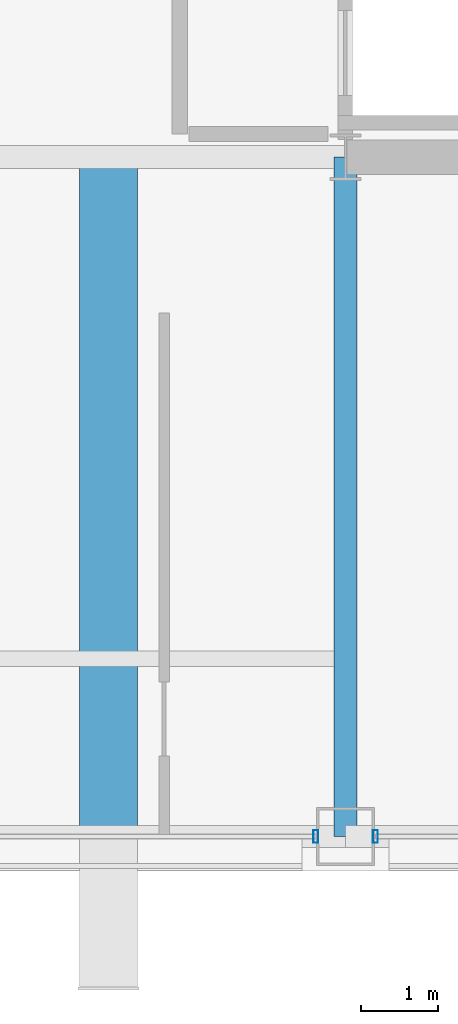
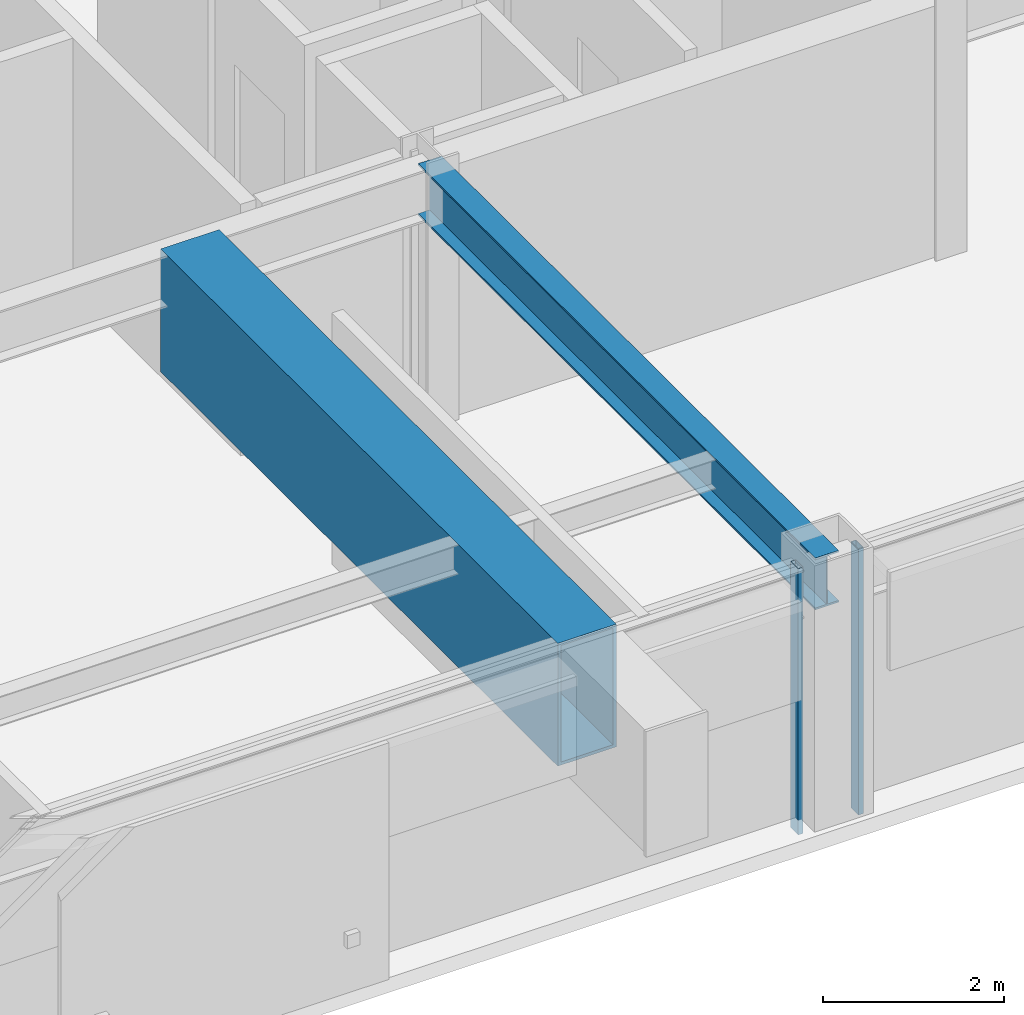
# One storey, part 6 of 28: 2 beams, 2 members, 2 elements without a shape of their own.
"""IFC4 building model written with IfcOpenShell, lengths in metres."""

import ifcopenshell
import ifcopenshell.guid

model = None  # the IFC model being written
_history = None  # IfcOwnerHistory: only IFC2X3 demands one
_inside = {}  # id of a spatial element -> (the spatial element, [elements in it])
_under = {}  # id of a project, library or spatial element -> (it, [spatial elements below it])
_declared = {}  # id of a project -> (the project, [libraries it declares])
_typed = {}  # id of a type object -> (the type object, [elements of that type])
_made_of = {}  # id of a material, layer set ... -> (it, [elements and type objects made of it])


def new_model(schema):
    """Start an empty IFC model of exactly this schema.

    Asked for "IFC4X3", IfcOpenShell would pick the latest addendum, in which some entities
    have other attributes; the version numbers below select the first issue.
    IFC2X3 requires an IfcOwnerHistory on every rooted entity: one is made here for all.
    """
    global model, _history
    if schema == "IFC4X3":
        model = ifcopenshell.file(schema_version=(4, 3, 0, 0))
    else:
        model = ifcopenshell.file(schema=schema)
    _inside.clear()
    _under.clear()
    _declared.clear()
    _typed.clear()
    _made_of.clear()
    _history = None
    if model.schema == "IFC2X3":
        org = make("IfcOrganization", Name="unknown")
        user = make(
            "IfcPersonAndOrganization",
            ThePerson=make("IfcPerson", FamilyName="unknown"),
            TheOrganization=org,
        )
        app = make(
            "IfcApplication",
            ApplicationDeveloper=org,
            Version="unknown",
            ApplicationFullName="unknown",
            ApplicationIdentifier="unknown",
        )
        _history = make(
            "IfcOwnerHistory",
            OwningUser=user,
            OwningApplication=app,
            ChangeAction="ADDED",
            CreationDate=0,
        )
    return model


def make(cls, **values):
    """One entity of the class cls with the attributes given. An attribute that is None is left unset."""
    return model.create_entity(
        cls, **{name: value for name, value in values.items() if value is not None}
    )


def rooted(cls, **values):
    """An entity with a GlobalId (a new one), such as an element, a storey or a relation."""
    return make(cls, GlobalId=ifcopenshell.guid.new(), OwnerHistory=_history, **values)


def si_unit(unit_type, name, prefix=None):
    """IfcSIUnit, for example si_unit("LENGTHUNIT", "METRE", prefix="MILLI")."""
    return make("IfcSIUnit", UnitType=unit_type, Prefix=prefix, Name=name)


def assignment(units):
    """IfcUnitAssignment: the units of a project."""
    return None if units is None else make("IfcUnitAssignment", Units=units)


def point(xyz):
    """IfcCartesianPoint."""
    return None if xyz is None else make("IfcCartesianPoint", Coordinates=xyz)


def direction(xyz):
    """IfcDirection."""
    return None if xyz is None else make("IfcDirection", DirectionRatios=xyz)


def frame(location, z_axis=None, x_axis=None):
    """IfcAxis2Placement3D, a coordinate frame: its origin and axes. An axis left out is left unset."""
    return make(
        "IfcAxis2Placement3D",
        Location=point(location),
        Axis=direction(z_axis),
        RefDirection=direction(x_axis),
    )


def frame_2d(location, x_axis=None):
    """IfcAxis2Placement2D, a coordinate frame in the plane: its origin and x axis."""
    return make(
        "IfcAxis2Placement2D", Location=point(location), RefDirection=direction(x_axis)
    )


def origin():
    """The frame at (0, 0, 0) with its axes left unset."""
    return frame((0.0, 0.0, 0.0))


def origin_2d():
    """The frame at (0, 0) in the plane with its x axis left unset."""
    return frame_2d((0.0, 0.0))


def place(relative_to, where):
    """IfcLocalPlacement: puts the frame where relative to a parent placement (None: the world)."""
    return make(
        "IfcLocalPlacement", PlacementRelTo=relative_to, RelativePlacement=where
    )


def context(
    kind, dimensions, precision=None, world=None, true_north=None, identifier=None
):
    """IfcGeometricRepresentationContext, for example the 3D "Model" context."""
    return make(
        "IfcGeometricRepresentationContext",
        ContextIdentifier=identifier,
        ContextType=kind,
        CoordinateSpaceDimension=dimensions,
        Precision=precision,
        WorldCoordinateSystem=world,
        TrueNorth=true_north,
    )


def subcontext(parent, identifier, kind, view, scale=None):
    """IfcGeometricRepresentationSubContext, for example "Body" below "Model"."""
    return make(
        "IfcGeometricRepresentationSubContext",
        ContextIdentifier=identifier,
        ContextType=kind,
        ParentContext=parent,
        TargetScale=scale,
        TargetView=view,
    )


def project(units=None, contexts=None):
    """IfcProject with its units and contexts."""
    return rooted(
        "IfcProject",
        Name="project",
        RepresentationContexts=contexts,
        UnitsInContext=assignment(units),
    )


def spatial(cls, under=None, at=None, **own):
    """A site, building, storey or space (cls), placed at a placement, below another one or the project."""
    s = rooted(cls, ObjectPlacement=at, **own)
    if under is not None:
        _under.setdefault(under.id(), (under, []))[1].append(s)
    return s


def profile(cls, at=None, kind="AREA", **sizes):
    """A parametric profile (cls). Its sizes go by their IFC names, for example OverallWidth=200.0."""
    return make(cls, ProfileType=kind, Position=at, **sizes)


def hollow_rectangle(**sizes):
    """IfcRectangleHollowProfileDef."""
    return profile("IfcRectangleHollowProfileDef", **sizes)


def i_section(**sizes):
    """IfcIShapeProfileDef."""
    return profile("IfcIShapeProfileDef", **sizes)


def extrude(swept, where, along, depth):
    """IfcExtrudedAreaSolid: the profile swept, set in the frame where, extruded along a direction by depth."""
    return make(
        "IfcExtrudedAreaSolid",
        SweptArea=swept,
        Position=where,
        ExtrudedDirection=direction(along),
        Depth=depth,
    )


def shape(context_of_items, identifier, shape_type, items):
    """IfcShapeRepresentation: the items that make up one representation, for example the "Body"."""
    return make(
        "IfcShapeRepresentation",
        ContextOfItems=context_of_items,
        RepresentationIdentifier=identifier,
        RepresentationType=shape_type,
        Items=items,
    )


def material(Name=None, Category=None):
    """IfcMaterial."""
    return make("IfcMaterial", Name=Name, Category=Category)


def layer(
    of_material, thickness, ventilated=None, Name=None, Category=None, Priority=None
):
    """IfcMaterialLayer: one layer of a wall or slab, of a material (None: an air gap)."""
    return make(
        "IfcMaterialLayer",
        Material=of_material,
        LayerThickness=thickness,
        IsVentilated=ventilated,
        Name=Name,
        Category=Category,
        Priority=Priority,
    )


def layer_set(layers, Name=None):
    """IfcMaterialLayerSet."""
    return make("IfcMaterialLayerSet", MaterialLayers=layers, LayerSetName=Name)


def material_profile(
    of_material, cross_section, Name=None, Category=None, Priority=None
):
    """IfcMaterialProfile: a cross section and its material."""
    return make(
        "IfcMaterialProfile",
        Name=Name,
        Material=of_material,
        Profile=cross_section,
        Priority=Priority,
        Category=Category,
    )


def profile_set(profiles, Name=None, composite=None):
    """IfcMaterialProfileSet."""
    return make(
        "IfcMaterialProfileSet",
        Name=Name,
        MaterialProfiles=profiles,
        CompositeProfile=composite,
    )


def made_of(thing, what):
    """Note that an element or type object is made of a material, layer set ...; save() writes the relation."""
    if what is not None:
        _made_of.setdefault(what.id(), (what, []))[1].append(thing)
    return thing


def type_object(cls, material=None, **own):
    """A type object (cls), such as IfcWallType, which elements share."""
    return made_of(rooted(cls, **own), material)


def element(
    cls,
    number,
    at=None,
    inside=None,
    cuts=None,
    type_object=None,
    material=None,
    context=None,
    identifier="Body",
    shape_type=None,
    held_by="IfcProductDefinitionShape",
    body=None,
    shapes=None,
    **own,
):
    """One element of the class cls, such as IfcWall. Its Tag is "e" and its number.

    at: its placement. inside: the storey or other place that contains it. cuts: it is an
    opening in that element (IfcRelVoidsElement). A single representation is given by context,
    identifier, shape_type and body (its items); several are given by shapes. held_by: the class
    of the entity that holds the representations. save() writes the other relations.
    """
    e = rooted(cls, Tag="e%d" % number, ObjectPlacement=at, **own)
    if body is not None:
        shapes = [shape(context, identifier, shape_type, body)]
    if shapes is not None:
        e.Representation = make(held_by, Representations=shapes)
    if inside is not None:
        _inside.setdefault(inside.id(), (inside, []))[1].append(e)
    if cuts is not None:
        rooted(
            "IfcRelVoidsElement", RelatingBuildingElement=cuts, RelatedOpeningElement=e
        )
    if type_object is not None:
        _typed.setdefault(type_object.id(), (type_object, []))[1].append(e)
    return made_of(e, material)


def aggregate(whole, parts):
    """IfcRelAggregates: a whole, such as a stair, and the parts it consists of."""
    return rooted("IfcRelAggregates", RelatingObject=whole, RelatedObjects=parts)


def save(model, path):
    """Write the relations noted so far, then the file.

    IfcRelAggregates (storeys below a building ...), IfcRelContainedInSpatialStructure (elements
    in a storey), IfcRelDefinesByType, IfcRelAssociatesMaterial and IfcRelDeclares: one each for
    every whole, place, type object, material and project.
    """
    for whole, parts in _under.values():
        aggregate(whole, parts)
    for where, things in _inside.values():
        rooted(
            "IfcRelContainedInSpatialStructure",
            RelatedElements=things,
            RelatingStructure=where,
        )
    for kind, things in _typed.values():
        rooted("IfcRelDefinesByType", RelatedObjects=things, RelatingType=kind)
    for what, things in _made_of.values():
        rooted("IfcRelAssociatesMaterial", RelatedObjects=things, RelatingMaterial=what)
    for by, libraries in _declared.values():
        rooted("IfcRelDeclares", RelatingContext=by, RelatedDefinitions=libraries)
    model.write(path)


model = new_model("IFC4")

# Units and contexts
model_context = context("Model", 3, precision=1e-05, world=origin(), true_north=direction((0.0, 1.0)))
body_context = subcontext(model_context, "Body", "Model", "MODEL_VIEW")
ifc_project = project(units=[si_unit("LENGTHUNIT", "METRE"), si_unit("AREAUNIT", "SQUARE_METRE"), si_unit("VOLUMEUNIT", "CUBIC_METRE"), si_unit("PLANEANGLEUNIT", "RADIAN"), si_unit("MASSUNIT", "GRAM", prefix="KILO")], contexts=[model_context])

# Site, building, storey
site_placement = place(None, origin())
site = spatial("IfcSite", under=ifc_project, at=site_placement, CompositionType="ELEMENT")
building_placement = place(site_placement, origin())
building = spatial("IfcBuilding", under=site, at=building_placement, Name="Brelmoor Portico Tower", CompositionType="ELEMENT")
storey_placement = place(building_placement, frame((0.0, 0.0, 155.10009765625)))
storey = spatial("IfcBuildingStorey", under=building, at=storey_placement, Name="L40", CompositionType="ELEMENT", Elevation=155.10009765625)

# Beams
ifc_material_1 = material(Name="Steel Q355B", Category="steel")
ifc_material_profile_1 = material_profile(ifc_material_1, i_section(OverallWidth=0.300048828125, OverallDepth=0.699951171875, WebThickness=0.012939453125, FlangeThickness=0.02392578125, at=origin_2d()), Name="HN 700x300x13x24")
ifc_profile_set_1 = profile_set([ifc_material_profile_1], Name="Steel Q355B")
beam_type_1 = type_object("IfcBeamType", Name="BM-PG-700", PredefinedType="BEAM", material=ifc_profile_set_1)
beam_1_placement = place(storey_placement, frame((8.050048828125, -18.550048828125, 3.0498046875), z_axis=(0.0, 1.0, 0.0), x_axis=(-1.0, 0.0, 0.0)))
element("IfcBeam", 1, at=beam_1_placement, inside=storey, type_object=beam_type_1, Name="L40 Primary Floor Girder PG-06", PredefinedType="BEAM", context=body_context, shape_type="SweptSolid", body=[
    extrude(i_section(OverallWidth=0.300048828125, OverallDepth=0.699951171875, WebThickness=0.012939453125, FlangeThickness=0.02392578125, at=origin_2d()), origin(), (0.0, 0.0, 1.0), 8.800048828125),
])
ifc_material_profile_2 = material_profile(ifc_material_1, hollow_rectangle(XDim=0.75, YDim=1.659912109375, WallThickness=0.0419921875, at=origin_2d()), Name="BOX 750x1660x42")
ifc_profile_set_2 = profile_set([ifc_material_profile_2], Name="Steel Q355B")
beam_type_2 = type_object("IfcBeamType", Name="BM-TG-Z2", PredefinedType="BEAM", material=ifc_profile_set_2)
beam_2_placement = place(storey_placement, frame((4.97998046875, -18.550048828125, 2.56982421875), z_axis=(0.0, 1.0, 0.0), x_axis=(-1.0, 0.0, 0.0)))
element("IfcBeam", 2, at=beam_2_placement, inside=storey, type_object=beam_type_2, Name="L40 Picture-Frame Backspan Transfer Girder PFBS-02", PredefinedType="BEAM", context=body_context, shape_type="SweptSolid", body=[
    extrude(hollow_rectangle(XDim=0.75, YDim=1.659912109375, WallThickness=0.0419921875, at=origin_2d()), origin(), (0.0, 0.0, 1.0), 8.800048828125),
])

# Curtain wall, member
ifc_material_2 = material(Name="Anodised Aluminium Alloy 6063-T6", Category="aluminium")
ifc_layer = layer(ifc_material_2, 0.179931640625)
ifc_layer_set = layer_set([ifc_layer], Name="Anodised Aluminium Alloy 6063-T6")
curtain_wall_type = type_object("IfcCurtainWallType", Name="CW-TOWER-Z3-XB", PredefinedType="NOTDEFINED", material=ifc_layer_set)
curtain_wall_1_placement = place(storey_placement, origin())
curtain_wall_1 = element("IfcCurtainWall", 3, at=curtain_wall_1_placement, inside=storey, type_object=curtain_wall_type, Name="L40 Curtain Wall CW-L40-01-2", PredefinedType="NOTDEFINED")
ifc_material_profile_3 = material_profile(ifc_material_2, hollow_rectangle(XDim=0.06494140625, YDim=0.1650390625, WallThickness=0.00390625, at=origin_2d()), Name="ALU MULLION 65x165")
ifc_profile_set_3 = profile_set([ifc_material_profile_3], Name="Anodised Aluminium Alloy 6063-T6")
member_type = type_object("IfcMemberType", Name="MB-CW-MULL-165", PredefinedType="MULLION", material=ifc_profile_set_3)
member_1_placement = place(storey_placement, frame((7.6650390625, -18.550048828125, -0.2001953125), z_axis=(0.0, 0.0, 1.0), x_axis=(1.0, 0.0, 0.0)))
member_1 = element("IfcMember", 4, at=member_1_placement, type_object=member_type, Name="CW-L40-01-2 Mullion 01", PredefinedType="MULLION", context=body_context, shape_type="SweptSolid", body=[
    extrude(hollow_rectangle(XDim=0.06494140625, YDim=0.1650390625, WallThickness=0.00390625, at=origin_2d()), origin(), (0.0, 0.0, 1.0), 3.60009765625),
])
aggregate(curtain_wall_1, [member_1])

curtain_wall_2_placement = place(storey_placement, origin())
curtain_wall_2 = element("IfcCurtainWall", 5, at=curtain_wall_2_placement, inside=storey, type_object=curtain_wall_type, Name="L40 Curtain Wall CW-L40-01-3", PredefinedType="NOTDEFINED")
member_2_placement = place(storey_placement, frame((8.43505859375, -18.550048828125, -0.2001953125), z_axis=(0.0, 0.0, 1.0), x_axis=(1.0, 0.0, 0.0)))
member_2 = element("IfcMember", 6, at=member_2_placement, type_object=member_type, Name="CW-L40-01-3 Mullion 00", PredefinedType="MULLION", context=body_context, shape_type="SweptSolid", body=[
    extrude(hollow_rectangle(XDim=0.06494140625, YDim=0.1650390625, WallThickness=0.00390625, at=origin_2d()), origin(), (0.0, 0.0, 1.0), 3.60009765625),
])
aggregate(curtain_wall_2, [member_2])

save(model, "model.ifc")
